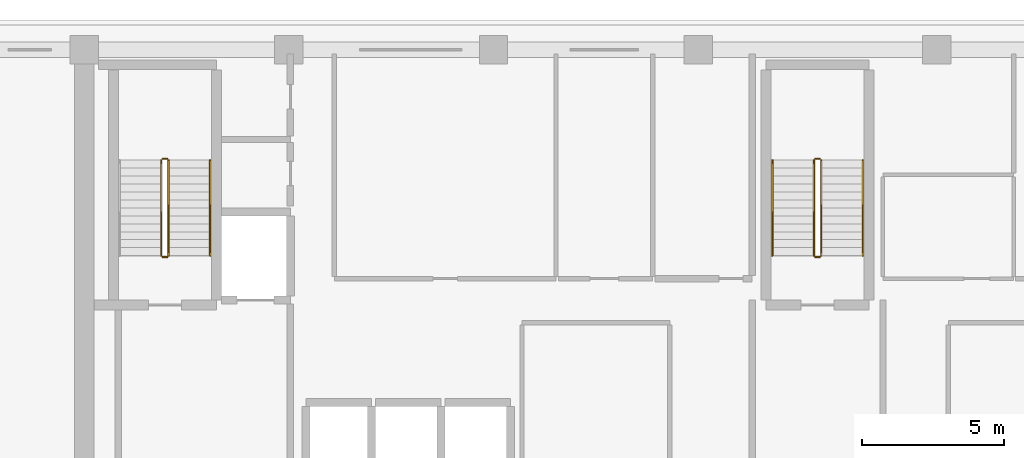
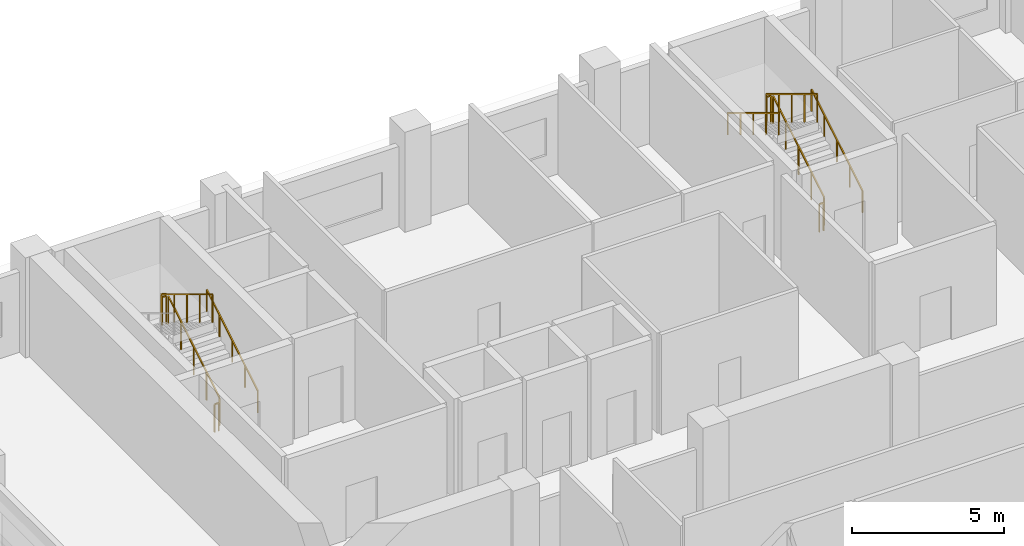
# One storey, part 9 of 10: 11 railings.
"""IFC4 building model written with IfcOpenShell, lengths in metres."""

from ifc_helpers import new_model, si_unit, direction, frame, origin, origin_2d, place, context, subcontext, project, spatial, rectangle, extrude, material, type_object, element, save


model = new_model("IFC4")

# Units and contexts
model_context = context("Model", 3, precision=1e-05, world=origin(), true_north=direction((0.0, 1.0)))
body_context = subcontext(model_context, "Body", "Model", "MODEL_VIEW")
ifc_project = project(units=[si_unit("LENGTHUNIT", "METRE"), si_unit("AREAUNIT", "SQUARE_METRE"), si_unit("VOLUMEUNIT", "CUBIC_METRE"), si_unit("PLANEANGLEUNIT", "RADIAN"), si_unit("MASSUNIT", "GRAM", prefix="KILO")], contexts=[model_context])

# Site, building, storey
site_placement = place(None, origin())
site = spatial("IfcSite", under=ifc_project, at=site_placement, CompositionType="ELEMENT")
building_placement = place(site_placement, origin())
building = spatial("IfcBuilding", under=site, at=building_placement, Name="Kaelvorn Grand Hotel", CompositionType="ELEMENT")
storey_placement = place(building_placement, frame((0.0, 0.0, 290.300048828125)))
storey = spatial("IfcBuildingStorey", under=building, at=storey_placement, Name="L71", CompositionType="ELEMENT", Elevation=290.300048828125)

# Railings
ifc_material = material(Name="Stainless Steel", Category="steel")
railing_type_1 = type_object("IfcRailingType", Name="RL-HANDRAIL-900", PredefinedType="HANDRAIL", material=ifc_material)
for number, where, name in (
    (1, (20.6298828125, 41.760009765625, 0.169189453125), "L71 ST1 stair handrail 1"),
    (2, (43.590087890625, 41.760009765625, 0.169189453125), "L71 ST2 stair handrail 1"),
):
    element("IfcRailing", number, at=place(storey_placement, frame(where)), inside=storey, type_object=railing_type_1, Name=name, PredefinedType="HANDRAIL", context=body_context, shape_type="SweptSolid", body=[
        extrude(rectangle(XDim=0.048095703125, YDim=0.048095703125, at=origin_2d()), frame((0.0, 0.0, 0.8759765625), z_axis=(0.0, 0.855836976705, 0.517245656632), x_axis=(-1.0, 0.0, 0.0)), (0.0, 0.0, 1.0), 3.926025390625),
        extrude(rectangle(XDim=0.0419921875, YDim=0.0419921875, at=origin_2d()), origin(), (0.0, 0.0, 1.0), 0.851806640625),
        extrude(rectangle(XDim=0.0419921875, YDim=0.0419921875, at=origin_2d()), frame((0.0, 0.840087890625, 0.5078125)), (0.0, 0.0, 1.0), 0.851806640625),
        extrude(rectangle(XDim=0.0419921875, YDim=0.0419921875, at=origin_2d()), frame((0.0, 1.68017578125, 1.015380859375)), (0.0, 0.0, 1.0), 0.851806640625),
        extrude(rectangle(XDim=0.0419921875, YDim=0.0419921875, at=origin_2d()), frame((0.0, 2.52001953125, 1.52294921875)), (0.0, 0.0, 1.0), 0.851806640625),
        extrude(rectangle(XDim=0.0419921875, YDim=0.0419921875, at=origin_2d()), frame((0.0, 3.360107421875, 2.03076171875)), (0.0, 0.0, 1.0), 0.851806640625),
    ])
railing_1_placement = place(storey_placement, frame((40.409912109375, 45.1201171875, 2.369140625)))
element("IfcRailing", 3, at=railing_1_placement, inside=storey, type_object=railing_type_1, Name="L71 ST2 stair handrail 2", PredefinedType="HANDRAIL", context=body_context, shape_type="SweptSolid", body=[
    extrude(rectangle(XDim=0.048095703125, YDim=0.048095703125, at=origin_2d()), frame((0.0, 0.0, 0.8759765625), z_axis=(0.0, -0.855836976705, 0.517245656632), x_axis=(1.0, 0.0, 0.0)), (0.0, 0.0, 1.0), 3.926025390625),
    extrude(rectangle(XDim=0.0419921875, YDim=0.0419921875, at=origin_2d()), origin(), (0.0, 0.0, 1.0), 0.851806640625),
    extrude(rectangle(XDim=0.0419921875, YDim=0.0419921875, at=origin_2d()), frame((0.0, -0.840087890625, 0.5078125)), (0.0, 0.0, 1.0), 0.851806640625),
    extrude(rectangle(XDim=0.0419921875, YDim=0.0419921875, at=origin_2d()), frame((0.0, -1.68017578125, 1.015380859375)), (0.0, 0.0, 1.0), 0.851806640625),
    extrude(rectangle(XDim=0.0419921875, YDim=0.0419921875, at=origin_2d()), frame((0.0, -2.52001953125, 1.52294921875)), (0.0, 0.0, 1.0), 0.851806640625),
    extrude(rectangle(XDim=0.0419921875, YDim=0.0419921875, at=origin_2d()), frame((0.0, -3.360107421875, 2.03076171875)), (0.0, 0.0, 1.0), 0.851806640625),
])
railing_type_2 = type_object("IfcRailingType", Name="RL-STAIR-GUARD-1150", PredefinedType="BALUSTRADE", material=ifc_material)
railing_2_placement = place(storey_placement, frame((19.169921875, 41.760009765625, 0.169189453125)))
element("IfcRailing", 4, at=railing_2_placement, inside=storey, type_object=railing_type_2, Name="L71 ST1 stair guard 1", PredefinedType="BALUSTRADE", context=body_context, shape_type="SweptSolid", body=[
    extrude(rectangle(XDim=0.048095703125, YDim=0.048095703125, at=origin_2d()), frame((0.0, 0.0, 1.1259765625), z_axis=(0.0, 0.855836976705, 0.517245656632), x_axis=(-1.0, 0.0, 0.0)), (0.0, 0.0, 1.0), 3.926025390625),
    extrude(rectangle(XDim=0.0419921875, YDim=0.0419921875, at=origin_2d()), origin(), (0.0, 0.0, 1.0), 1.101806640625),
    extrude(rectangle(XDim=0.0419921875, YDim=0.0419921875, at=origin_2d()), frame((0.0, 0.840087890625, 0.5078125)), (0.0, 0.0, 1.0), 1.101806640625),
    extrude(rectangle(XDim=0.0419921875, YDim=0.0419921875, at=origin_2d()), frame((0.0, 1.68017578125, 1.015380859375)), (0.0, 0.0, 1.0), 1.101806640625),
    extrude(rectangle(XDim=0.0419921875, YDim=0.0419921875, at=origin_2d()), frame((0.0, 2.52001953125, 1.52294921875)), (0.0, 0.0, 1.0), 1.101806640625),
    extrude(rectangle(XDim=0.0419921875, YDim=0.0419921875, at=origin_2d()), frame((0.0, 3.360107421875, 2.03076171875)), (0.0, 0.0, 1.0), 1.101806640625),
])
railing_3_placement = place(storey_placement, frame((19.1201171875, 45.169921875, 2.199951171875)))
element("IfcRailing", 5, at=railing_3_placement, inside=storey, type_object=railing_type_2, Name="L71 ST1 stair guard 2", PredefinedType="BALUSTRADE", context=body_context, shape_type="SweptSolid", body=[
    extrude(rectangle(XDim=0.048095703125, YDim=0.048095703125, at=origin_2d()), frame((0.0, 0.0, 1.1259765625), z_axis=(-1.0, 0.0, 0.0), x_axis=(0.0, -1.0, 0.0)), (0.0, 0.0, 1.0), 0.16015625),
    extrude(rectangle(XDim=0.0419921875, YDim=0.0419921875, at=origin_2d()), origin(), (0.0, 0.0, 1.0), 1.101806640625),
    extrude(rectangle(XDim=0.0419921875, YDim=0.0419921875, at=origin_2d()), frame((-0.16015625, 0.0, 0.0)), (0.0, 0.0, 1.0), 1.101806640625),
])
railing_4_placement = place(storey_placement, frame((18.909912109375, 45.1201171875, 2.369140625)))
element("IfcRailing", 6, at=railing_4_placement, inside=storey, type_object=railing_type_2, Name="L71 ST1 stair guard 3", PredefinedType="BALUSTRADE", context=body_context, shape_type="SweptSolid", body=[
    extrude(rectangle(XDim=0.048095703125, YDim=0.048095703125, at=origin_2d()), frame((0.0, 0.0, 1.1259765625), z_axis=(0.0, -0.855836976705, 0.517245656632), x_axis=(1.0, 0.0, 0.0)), (0.0, 0.0, 1.0), 3.926025390625),
    extrude(rectangle(XDim=0.0419921875, YDim=0.0419921875, at=origin_2d()), origin(), (0.0, 0.0, 1.0), 1.101806640625),
    extrude(rectangle(XDim=0.0419921875, YDim=0.0419921875, at=origin_2d()), frame((0.0, -0.840087890625, 0.5078125)), (0.0, 0.0, 1.0), 1.101806640625),
    extrude(rectangle(XDim=0.0419921875, YDim=0.0419921875, at=origin_2d()), frame((0.0, -1.68017578125, 1.015380859375)), (0.0, 0.0, 1.0), 1.101806640625),
    extrude(rectangle(XDim=0.0419921875, YDim=0.0419921875, at=origin_2d()), frame((0.0, -2.52001953125, 1.52294921875)), (0.0, 0.0, 1.0), 1.101806640625),
    extrude(rectangle(XDim=0.0419921875, YDim=0.0419921875, at=origin_2d()), frame((0.0, -3.360107421875, 2.03076171875)), (0.0, 0.0, 1.0), 1.101806640625),
])
railing_5_placement = place(storey_placement, frame((19.1201171875, 41.7099609375, 0.0)))
element("IfcRailing", 7, at=railing_5_placement, inside=storey, type_object=railing_type_2, Name="L71 ST1 stair guard 4", PredefinedType="BALUSTRADE", context=body_context, shape_type="SweptSolid", body=[
    extrude(rectangle(XDim=0.048095703125, YDim=0.048095703125, at=origin_2d()), frame((0.0, 0.0, 1.1259765625), z_axis=(-1.0, 0.0, 0.0), x_axis=(0.0, -1.0, 0.0)), (0.0, 0.0, 1.0), 0.16015625),
    extrude(rectangle(XDim=0.0419921875, YDim=0.0419921875, at=origin_2d()), origin(), (0.0, 0.0, 1.0), 1.101806640625),
    extrude(rectangle(XDim=0.0419921875, YDim=0.0419921875, at=origin_2d()), frame((-0.16015625, 0.0, 0.0)), (0.0, 0.0, 1.0), 1.101806640625),
])
railing_6_placement = place(storey_placement, frame((42.1298828125, 41.760009765625, 0.169189453125)))
element("IfcRailing", 8, at=railing_6_placement, inside=storey, type_object=railing_type_2, Name="L71 ST2 stair guard 1", PredefinedType="BALUSTRADE", context=body_context, shape_type="SweptSolid", body=[
    extrude(rectangle(XDim=0.048095703125, YDim=0.048095703125, at=origin_2d()), frame((0.0, 0.0, 1.1259765625), z_axis=(0.0, 0.855836976705, 0.517245656632), x_axis=(-1.0, 0.0, 0.0)), (0.0, 0.0, 1.0), 3.926025390625),
    extrude(rectangle(XDim=0.0419921875, YDim=0.0419921875, at=origin_2d()), origin(), (0.0, 0.0, 1.0), 1.101806640625),
    extrude(rectangle(XDim=0.0419921875, YDim=0.0419921875, at=origin_2d()), frame((0.0, 0.840087890625, 0.5078125)), (0.0, 0.0, 1.0), 1.101806640625),
    extrude(rectangle(XDim=0.0419921875, YDim=0.0419921875, at=origin_2d()), frame((0.0, 1.68017578125, 1.015380859375)), (0.0, 0.0, 1.0), 1.101806640625),
    extrude(rectangle(XDim=0.0419921875, YDim=0.0419921875, at=origin_2d()), frame((0.0, 2.52001953125, 1.52294921875)), (0.0, 0.0, 1.0), 1.101806640625),
    extrude(rectangle(XDim=0.0419921875, YDim=0.0419921875, at=origin_2d()), frame((0.0, 3.360107421875, 2.03076171875)), (0.0, 0.0, 1.0), 1.101806640625),
])
railing_7_placement = place(storey_placement, frame((42.080078125, 45.169921875, 2.199951171875)))
element("IfcRailing", 9, at=railing_7_placement, inside=storey, type_object=railing_type_2, Name="L71 ST2 stair guard 2", PredefinedType="BALUSTRADE", context=body_context, shape_type="SweptSolid", body=[
    extrude(rectangle(XDim=0.048095703125, YDim=0.048095703125, at=origin_2d()), frame((0.0, 0.0, 1.1259765625), z_axis=(-1.0, 0.0, 0.0), x_axis=(0.0, -1.0, 0.0)), (0.0, 0.0, 1.0), 0.16015625),
    extrude(rectangle(XDim=0.0419921875, YDim=0.0419921875, at=origin_2d()), origin(), (0.0, 0.0, 1.0), 1.101806640625),
    extrude(rectangle(XDim=0.0419921875, YDim=0.0419921875, at=origin_2d()), frame((-0.16015625, 0.0, 0.0)), (0.0, 0.0, 1.0), 1.101806640625),
])
railing_8_placement = place(storey_placement, frame((41.8701171875, 45.1201171875, 2.369140625)))
element("IfcRailing", 10, at=railing_8_placement, inside=storey, type_object=railing_type_2, Name="L71 ST2 stair guard 3", PredefinedType="BALUSTRADE", context=body_context, shape_type="SweptSolid", body=[
    extrude(rectangle(XDim=0.048095703125, YDim=0.048095703125, at=origin_2d()), frame((0.0, 0.0, 1.1259765625), z_axis=(0.0, -0.855836976705, 0.517245656632), x_axis=(1.0, 0.0, 0.0)), (0.0, 0.0, 1.0), 3.926025390625),
    extrude(rectangle(XDim=0.0419921875, YDim=0.0419921875, at=origin_2d()), origin(), (0.0, 0.0, 1.0), 1.101806640625),
    extrude(rectangle(XDim=0.0419921875, YDim=0.0419921875, at=origin_2d()), frame((0.0, -0.840087890625, 0.5078125)), (0.0, 0.0, 1.0), 1.101806640625),
    extrude(rectangle(XDim=0.0419921875, YDim=0.0419921875, at=origin_2d()), frame((0.0, -1.68017578125, 1.015380859375)), (0.0, 0.0, 1.0), 1.101806640625),
    extrude(rectangle(XDim=0.0419921875, YDim=0.0419921875, at=origin_2d()), frame((0.0, -2.52001953125, 1.52294921875)), (0.0, 0.0, 1.0), 1.101806640625),
    extrude(rectangle(XDim=0.0419921875, YDim=0.0419921875, at=origin_2d()), frame((0.0, -3.360107421875, 2.03076171875)), (0.0, 0.0, 1.0), 1.101806640625),
])
railing_9_placement = place(storey_placement, frame((42.080078125, 41.7099609375, 0.0)))
element("IfcRailing", 11, at=railing_9_placement, inside=storey, type_object=railing_type_2, Name="L71 ST2 stair guard 4", PredefinedType="BALUSTRADE", context=body_context, shape_type="SweptSolid", body=[
    extrude(rectangle(XDim=0.048095703125, YDim=0.048095703125, at=origin_2d()), frame((0.0, 0.0, 1.1259765625), z_axis=(-1.0, 0.0, 0.0), x_axis=(0.0, -1.0, 0.0)), (0.0, 0.0, 1.0), 0.16015625),
    extrude(rectangle(XDim=0.0419921875, YDim=0.0419921875, at=origin_2d()), origin(), (0.0, 0.0, 1.0), 1.101806640625),
    extrude(rectangle(XDim=0.0419921875, YDim=0.0419921875, at=origin_2d()), frame((-0.16015625, 0.0, 0.0)), (0.0, 0.0, 1.0), 1.101806640625),
])

save(model, "model.ifc")
